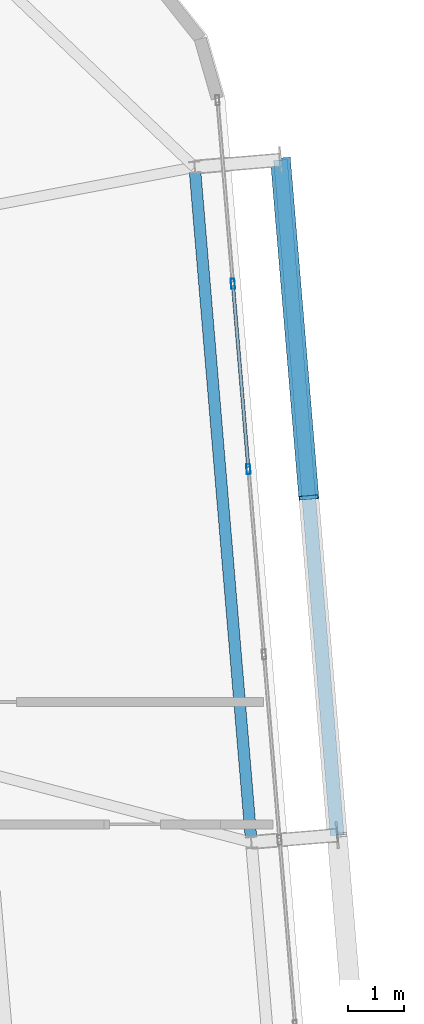
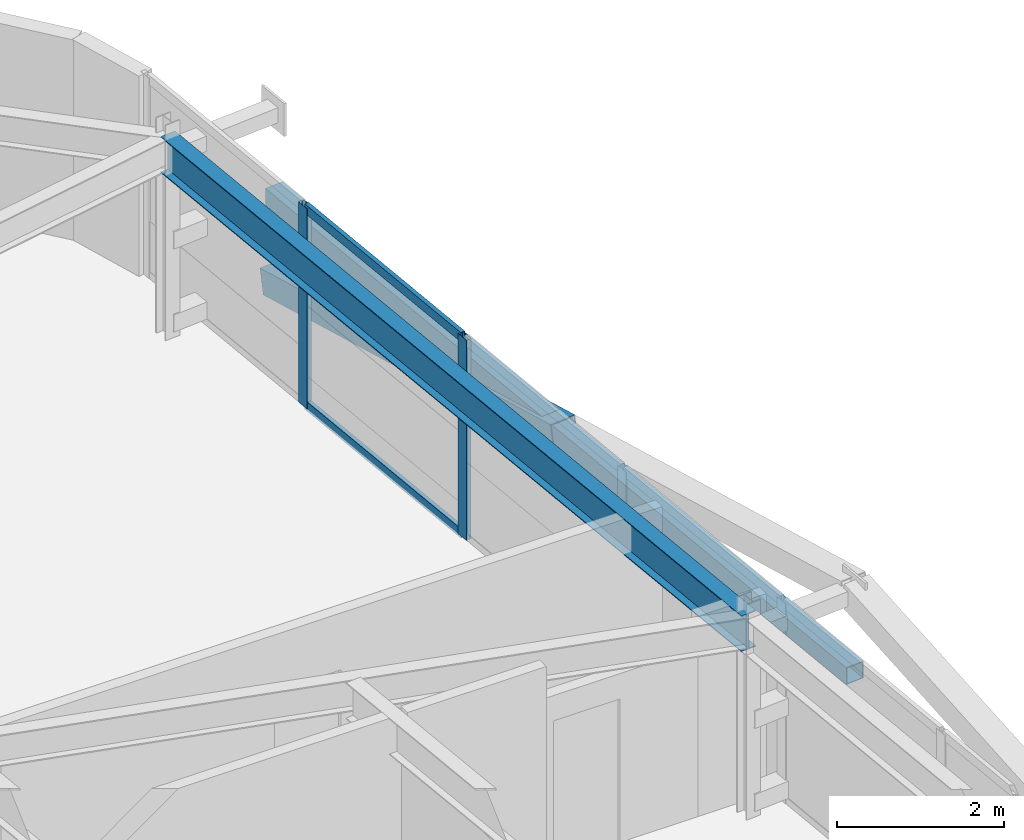
# One storey, part 26 of 44: 6 members, 1 beam, 1 element without a shape of its own.
"""IFC4 building model written with IfcOpenShell, lengths in metres."""

from ifc_helpers import new_model, si_unit, direction, frame, origin, origin_2d, place, context, subcontext, project, spatial, hollow_rectangle, i_section, extrude, source, transform, mapped, material, layer, layer_set, material_profile, profile_set, type_object, element, aggregate, save


model = new_model("IFC4")

# Units and contexts
model_context = context("Model", 3, precision=1e-05, world=origin(), true_north=direction((0.0, 1.0)))
body_context = subcontext(model_context, "Body", "Model", "MODEL_VIEW")
ifc_project = project(units=[si_unit("LENGTHUNIT", "METRE"), si_unit("AREAUNIT", "SQUARE_METRE"), si_unit("VOLUMEUNIT", "CUBIC_METRE"), si_unit("PLANEANGLEUNIT", "RADIAN"), si_unit("MASSUNIT", "GRAM", prefix="KILO")], contexts=[model_context])

# Site, building, storey
site_placement = place(None, origin())
site = spatial("IfcSite", under=ifc_project, at=site_placement, CompositionType="ELEMENT")
building_placement = place(site_placement, origin())
building = spatial("IfcBuilding", under=site, at=building_placement, Name="Taldren Reach Tower", CompositionType="ELEMENT")
storey_placement = place(building_placement, frame((0.0, 0.0, 191.449951171875)))
storey = spatial("IfcBuildingStorey", under=building, at=storey_placement, Name="L58", CompositionType="ELEMENT", Elevation=191.449951171875)

# Beam
ifc_material_1 = material(Name="Steel Gr 350 (350PLUS)", Category="steel")
ifc_material_profile_1 = material_profile(ifc_material_1, i_section(OverallWidth=0.208984375, OverallDepth=0.528076171875, WebThickness=0.009521484375, FlangeThickness=0.01318359375, at=origin_2d()), Name="530UB82.0")
ifc_profile_set_1 = profile_set([ifc_material_profile_1], Name="Steel Gr 350 (350PLUS)")
beam_type = type_object("IfcBeamType", Name="SP-UB530B", PredefinedType="SPANDREL", material=ifc_profile_set_1)
shared_shape_1 = source(origin(), body_context, "Body", "SweptSolid", [
    extrude(i_section(OverallWidth=0.208984375, OverallDepth=0.528076171875, WebThickness=0.009521484375, FlangeThickness=0.01318359375, at=origin_2d()), origin(), (0.0, 0.0, 1.0), 12.199951171875),
])
beam_placement = place(storey_placement, frame((60.6171875, 21.474853515625, 2.666015625), z_axis=(-0.083668166953, 0.99649367175, 0.0), x_axis=(-0.99649367175, -0.083668166953, 0.0)))
element("IfcBeam", 1, at=beam_placement, inside=storey, type_object=beam_type, Name="Perimeter spandrel B4 E2-E3 L58", PredefinedType="SPANDREL", context=body_context, shape_type="MappedRepresentation", body=[
    mapped(shared_shape_1, transform((0.0, 0.0, 0.0), scale=1.0)),
])

# Members
ifc_material_2 = material(Name="Steel Gr 350 (C350L0)", Category="steel")
ifc_material_profile_2 = material_profile(ifc_material_2, hollow_rectangle(XDim=0.25, YDim=0.25, WallThickness=0.010009765625, at=origin_2d()), Name="250x250x10.0SHS")
ifc_profile_set_2 = profile_set([ifc_material_profile_2], Name="Steel Gr 350 (C350L0)")
member_type_1 = type_object("IfcMemberType", Name="MB-POST250", PredefinedType="POST", material=ifc_profile_set_2)
shared_shape_2 = source(origin(), body_context, "Body", "SweptSolid", [
    extrude(hollow_rectangle(XDim=0.25, YDim=0.25, WallThickness=0.010009765625, at=origin_2d()), origin(), (0.0, 0.0, 1.0), 12.199951171875),
])
member_1_placement = place(storey_placement, frame((62.161865234375, 21.6044921875, 1.43505859375), z_axis=(-0.083688038336, 0.996492003099, 0.0), x_axis=(-0.996492003099, -0.083688038336, 0.0)))
element("IfcMember", 2, at=member_1_placement, inside=storey, type_object=member_type_1, Name="Exoskeleton mid-height ring chord B4-E2 L58", PredefinedType="POST", context=body_context, shape_type="MappedRepresentation", body=[
    mapped(shared_shape_2, transform((0.0, 0.0, 0.0), scale=1.0)),
])
ifc_material_3 = material(Name="Steel Gr 450 (C450L0)", Category="steel")
ifc_material_profile_3 = material_profile(ifc_material_3, hollow_rectangle(XDim=0.360107421875, YDim=0.360107421875, WallThickness=0.0126953125, at=origin_2d()), Name="360x360x12.7SHS")
ifc_profile_set_3 = profile_set([ifc_material_profile_3], Name="Steel Gr 450 (C450L0)")
member_type_2 = type_object("IfcMemberType", Name="MB-EXO356", PredefinedType="BRACE", material=ifc_profile_set_3)
shared_shape_3 = source(origin(), body_context, "Body", "SweptSolid", [
    extrude(hollow_rectangle(XDim=0.360107421875, YDim=0.360107421875, WallThickness=0.0126953125, at=origin_2d()), origin(), (0.0, 0.0, 1.0), 6.219970703125),
])
member_2_placement = place(storey_placement, frame((61.140869140625, 33.76171875, 0.219970703125), z_axis=(0.082075564879, -0.977291924611, 0.195356330179), x_axis=(0.996492003099, 0.083688038336, 0.0)))
element("IfcMember", 3, at=member_2_placement, inside=storey, type_object=member_type_2, Name="Exoskeleton Diagrid Brace B4-E2 L58", PredefinedType="BRACE", context=body_context, shape_type="MappedRepresentation", body=[
    mapped(shared_shape_3, transform((0.0, 0.0, 0.0), scale=1.0)),
])

# Curtain wall, members
ifc_material_4 = material(Name="Aluminium and Low-E Glass Unitised System", Category="aluminium")
ifc_layer = layer(ifc_material_4, 0.159912109375)
ifc_layer_set = layer_set([ifc_layer], Name="Aluminium and Low-E Glass Unitised System")
curtain_wall_type = type_object("IfcCurtainWallType", Name="CW-SYS-5", PredefinedType="NOTDEFINED", material=ifc_layer_set)
curtain_wall_placement = place(storey_placement, origin())
curtain_wall = element("IfcCurtainWall", 4, at=curtain_wall_placement, inside=storey, type_object=curtain_wall_type, Name="Unitised curtain wall CW-L58-E", PredefinedType="NOTDEFINED")
ifc_material_5 = material(Name="Anodised Aluminium 6063-T6", Category="aluminium")
ifc_material_profile_4 = material_profile(ifc_material_5, hollow_rectangle(XDim=0.070068359375, YDim=0.179931640625, WallThickness=0.00390625, at=origin_2d()), Name="ALU-180x70x4RHS")
ifc_profile_set_4 = profile_set([ifc_material_profile_4], Name="Anodised Aluminium 6063-T6")
member_type_3 = type_object("IfcMemberType", Name="CW-MUL-180", PredefinedType="MULLION", material=ifc_profile_set_4)
shared_shape_4 = source(origin(), body_context, "Body", "SweptSolid", [
    extrude(hollow_rectangle(XDim=0.070068359375, YDim=0.179931640625, WallThickness=0.00390625, at=origin_2d()), origin(), (0.0, 0.0, 1.0), 2.929931640625),
])
member_3_placement = place(storey_placement, frame((60.564697265625, 28.194091796875, 0.0), z_axis=(0.0, 0.0, 1.0), x_axis=(-0.996492847789, -0.083677979808, 0.0)))
member_3 = element("IfcMember", 5, at=member_3_placement, type_object=member_type_3, Name="CW-5 mullion 7", PredefinedType="MULLION", context=body_context, shape_type="MappedRepresentation", body=[
    mapped(shared_shape_4, transform((0.0, 0.0, 0.0), scale=1.0)),
])
member_4_placement = place(storey_placement, frame((60.284423828125, 31.5322265625, 0.0), z_axis=(0.0, 0.0, 1.0), x_axis=(-0.996492847789, -0.083677979808, 0.0)))
member_4 = element("IfcMember", 6, at=member_4_placement, type_object=member_type_3, Name="CW-5 mullion 8", PredefinedType="MULLION", context=body_context, shape_type="MappedRepresentation", body=[
    mapped(shared_shape_4, transform((0.0, 0.0, 0.0), scale=1.0)),
])
ifc_material_profile_5 = material_profile(ifc_material_5, hollow_rectangle(XDim=0.06005859375, YDim=0.135009765625, WallThickness=0.00341796875, at=origin_2d()), Name="ALU-135x60x3.5RHS")
ifc_profile_set_5 = profile_set([ifc_material_profile_5], Name="Anodised Aluminium 6063-T6")
member_type_4 = type_object("IfcMemberType", Name="CW-TRN-150", PredefinedType="USERDEFINED", material=ifc_profile_set_5)
shared_shape_5 = source(origin(), body_context, "Body", "SweptSolid", [
    extrude(hollow_rectangle(XDim=0.06005859375, YDim=0.135009765625, WallThickness=0.00341796875, at=origin_2d()), origin(), (0.0, 0.0, 1.0), 3.280029296875),
])
member_5_placement = place(storey_placement, frame((60.561767578125, 28.228759765625, 0.030029296875), z_axis=(-0.083661452101, 0.996494235524, 0.0), x_axis=(-0.996494235524, -0.083661452101, 0.0)))
member_5 = element("IfcMember", 7, at=member_5_placement, type_object=member_type_4, Name="CW-5 transom 7.1", ObjectType="TRANSOM", PredefinedType="USERDEFINED", context=body_context, shape_type="MappedRepresentation", body=[
    mapped(shared_shape_5, transform((0.0, 0.0, 0.0), scale=1.0)),
])
member_6_placement = place(storey_placement, frame((60.561767578125, 28.228759765625, 2.900146484375), z_axis=(-0.083661452101, 0.996494235524, 0.0), x_axis=(-0.996494235524, -0.083661452101, 0.0)))
member_6 = element("IfcMember", 8, at=member_6_placement, type_object=member_type_4, Name="CW-5 transom 7.2", ObjectType="TRANSOM", PredefinedType="USERDEFINED", context=body_context, shape_type="MappedRepresentation", body=[
    mapped(shared_shape_5, transform((0.0, 0.0, 0.0), scale=1.0)),
])
aggregate(curtain_wall, [member_3, member_4, member_5, member_6])

save(model, "model.ifc")
